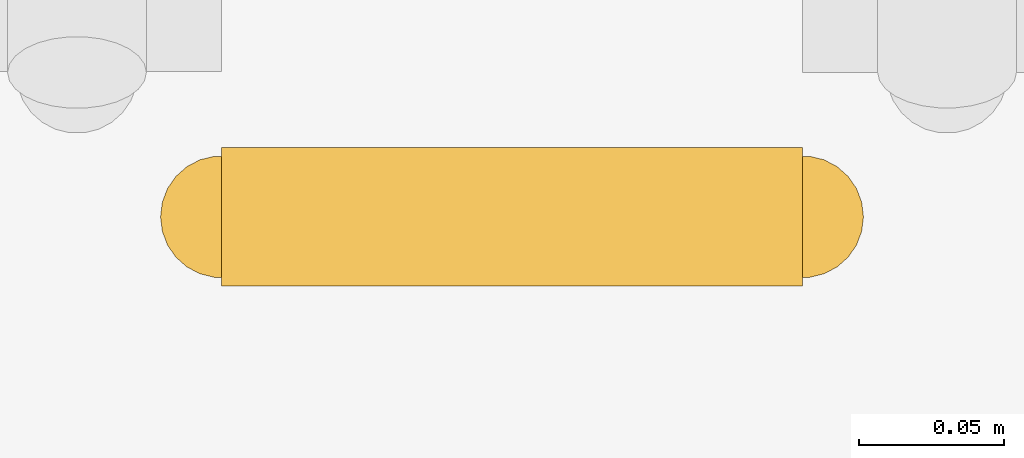
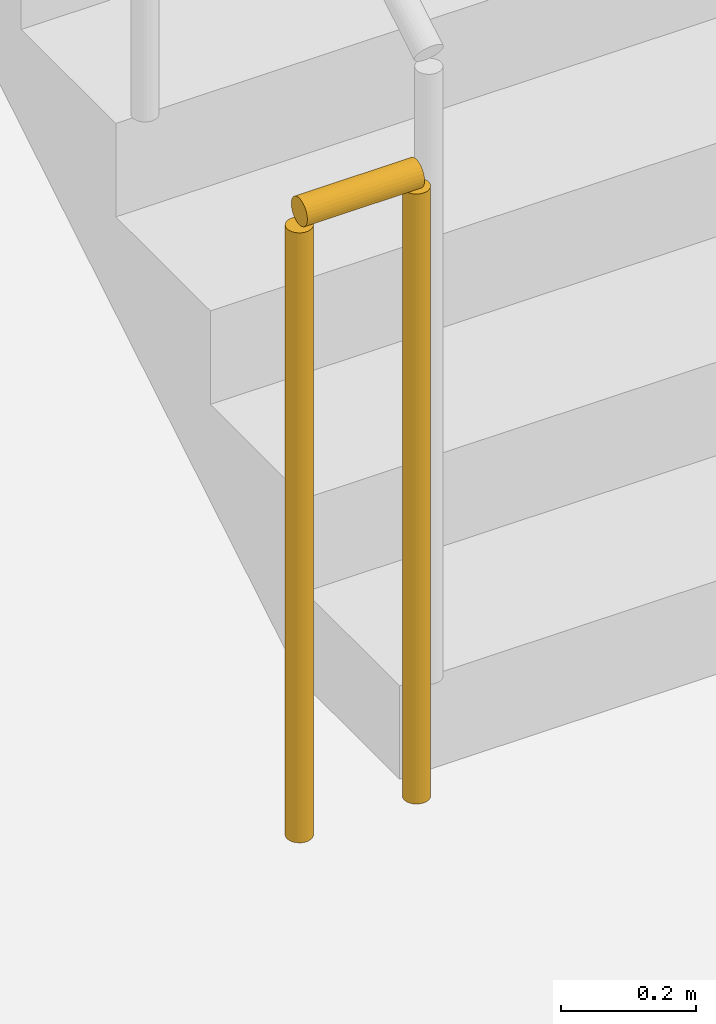
# One storey, part 51 of 69: 1 railing.
"""IFC4 building model written with IfcOpenShell, lengths in metres."""

from ifc_helpers import new_model, si_unit, direction, frame, origin, origin_2d, place, context, subcontext, project, spatial, circle, extrude, material, layer, layer_set, type_object, element, save


model = new_model("IFC4")

# Units and contexts
model_context = context("Model", 3, precision=1e-05, world=origin(), true_north=direction((0.0, 1.0)))
body_context = subcontext(model_context, "Body", "Model", "MODEL_VIEW")
ifc_project = project(units=[si_unit("LENGTHUNIT", "METRE"), si_unit("AREAUNIT", "SQUARE_METRE"), si_unit("VOLUMEUNIT", "CUBIC_METRE"), si_unit("PLANEANGLEUNIT", "RADIAN"), si_unit("MASSUNIT", "GRAM", prefix="KILO")], contexts=[model_context])

# Site, building, storey
site_placement = place(None, origin())
site = spatial("IfcSite", under=ifc_project, at=site_placement, CompositionType="ELEMENT")
building_placement = place(site_placement, origin())
building = spatial("IfcBuilding", under=site, at=building_placement, Name="Kazenohara Klinker Stadium", CompositionType="ELEMENT")
storey_placement = place(building_placement, origin())
storey = spatial("IfcBuildingStorey", under=building, at=storey_placement, Name="L00", CompositionType="ELEMENT", Elevation=0.0)

# Railing
ifc_material = material(Name="Painted steel stairwell guardrail", Category="steel")
ifc_layer = layer(ifc_material, 0.06005859375)
ifc_layer_set = layer_set([ifc_layer], Name="Painted steel stairwell guardrail")
railing_type = type_object("IfcRailingType", Name="RL-STG-1120", PredefinedType="GUARDRAIL", material=ifc_layer_set)
railing_placement = place(storey_placement, frame((181.35009765625, 27.830078125, 0.0)))
element("IfcRailing", 1, at=railing_placement, inside=storey, type_object=railing_type, Name="L00 ST16 stair guard 4", PredefinedType="GUARDRAIL", context=body_context, shape_type="SweptSolid", body=[
    extrude(circle(Radius=0.02392578125, at=origin_2d()), frame((0.0, 0.0, 1.1259765625), z_axis=(-1.0, 0.0, 0.0), x_axis=(0.0, -1.0, 0.0)), (0.0, 0.0, 1.0), 0.2001953125),
    extrude(circle(Radius=0.02099609375, at=origin_2d()), origin(), (0.0, 0.0, 1.0), 1.101806640625),
    extrude(circle(Radius=0.02099609375, at=origin_2d()), frame((-0.2001953125, 0.0, 0.0)), (0.0, 0.0, 1.0), 1.101806640625),
])

save(model, "model.ifc")
